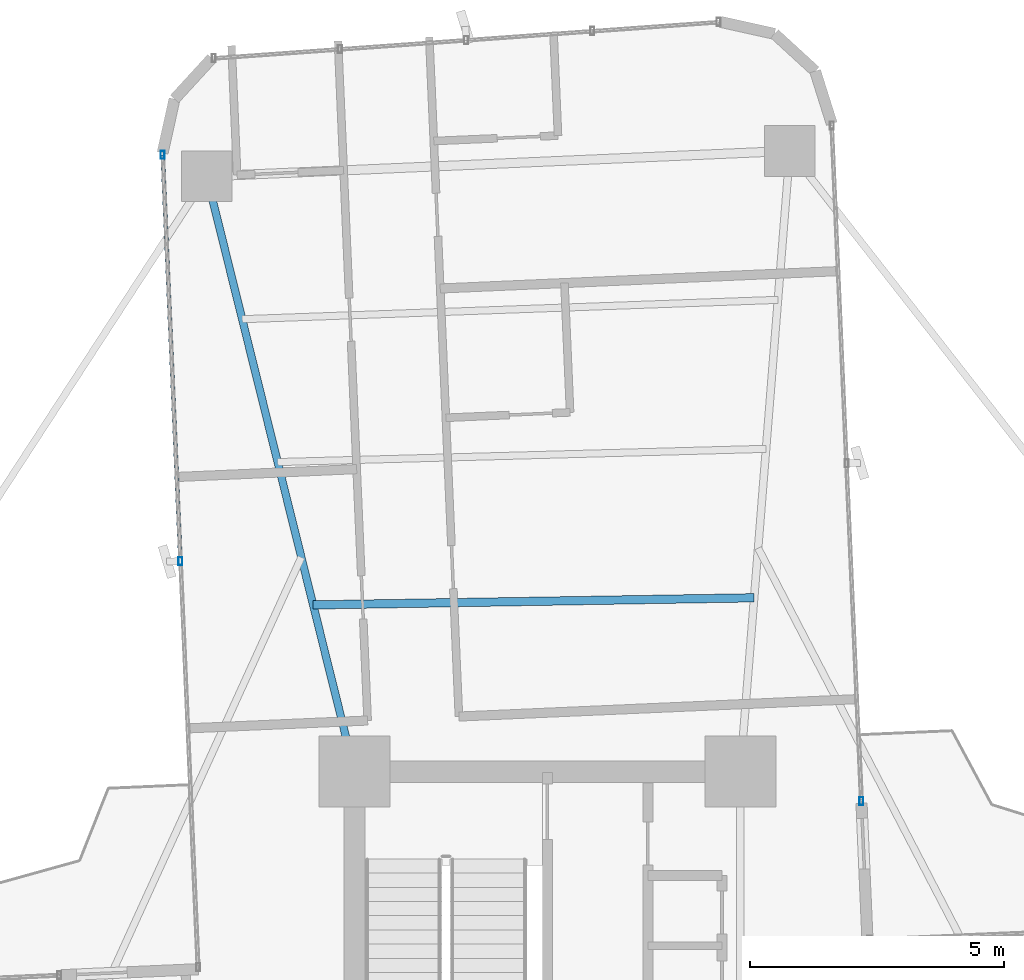
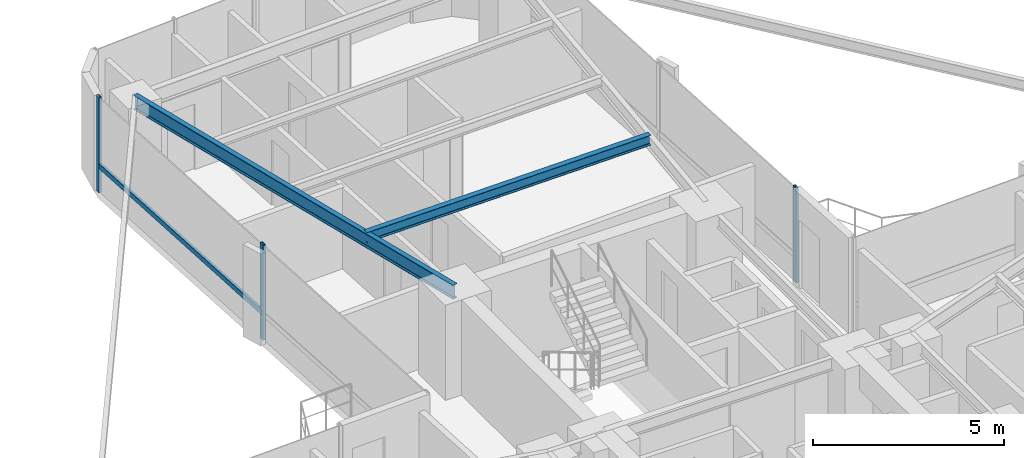
# One storey, part 17 of 27: 4 members, 2 beams, 2 elements without a shape of their own.
"""IFC4 building model written with IfcOpenShell, lengths in metres."""

import ifcopenshell
import ifcopenshell.guid

model = None  # the IFC model being written
_history = None  # IfcOwnerHistory: only IFC2X3 demands one
_inside = {}  # id of a spatial element -> (the spatial element, [elements in it])
_under = {}  # id of a project, library or spatial element -> (it, [spatial elements below it])
_declared = {}  # id of a project -> (the project, [libraries it declares])
_typed = {}  # id of a type object -> (the type object, [elements of that type])
_made_of = {}  # id of a material, layer set ... -> (it, [elements and type objects made of it])


def new_model(schema):
    """Start an empty IFC model of exactly this schema.

    Asked for "IFC4X3", IfcOpenShell would pick the latest addendum, in which some entities
    have other attributes; the version numbers below select the first issue.
    IFC2X3 requires an IfcOwnerHistory on every rooted entity: one is made here for all.
    """
    global model, _history
    if schema == "IFC4X3":
        model = ifcopenshell.file(schema_version=(4, 3, 0, 0))
    else:
        model = ifcopenshell.file(schema=schema)
    _inside.clear()
    _under.clear()
    _declared.clear()
    _typed.clear()
    _made_of.clear()
    _history = None
    if model.schema == "IFC2X3":
        org = make("IfcOrganization", Name="unknown")
        user = make(
            "IfcPersonAndOrganization",
            ThePerson=make("IfcPerson", FamilyName="unknown"),
            TheOrganization=org,
        )
        app = make(
            "IfcApplication",
            ApplicationDeveloper=org,
            Version="unknown",
            ApplicationFullName="unknown",
            ApplicationIdentifier="unknown",
        )
        _history = make(
            "IfcOwnerHistory",
            OwningUser=user,
            OwningApplication=app,
            ChangeAction="ADDED",
            CreationDate=0,
        )
    return model


def make(cls, **values):
    """One entity of the class cls with the attributes given. An attribute that is None is left unset."""
    return model.create_entity(
        cls, **{name: value for name, value in values.items() if value is not None}
    )


def rooted(cls, **values):
    """An entity with a GlobalId (a new one), such as an element, a storey or a relation."""
    return make(cls, GlobalId=ifcopenshell.guid.new(), OwnerHistory=_history, **values)


def si_unit(unit_type, name, prefix=None):
    """IfcSIUnit, for example si_unit("LENGTHUNIT", "METRE", prefix="MILLI")."""
    return make("IfcSIUnit", UnitType=unit_type, Prefix=prefix, Name=name)


def assignment(units):
    """IfcUnitAssignment: the units of a project."""
    return None if units is None else make("IfcUnitAssignment", Units=units)


def point(xyz):
    """IfcCartesianPoint."""
    return None if xyz is None else make("IfcCartesianPoint", Coordinates=xyz)


def direction(xyz):
    """IfcDirection."""
    return None if xyz is None else make("IfcDirection", DirectionRatios=xyz)


def frame(location, z_axis=None, x_axis=None):
    """IfcAxis2Placement3D, a coordinate frame: its origin and axes. An axis left out is left unset."""
    return make(
        "IfcAxis2Placement3D",
        Location=point(location),
        Axis=direction(z_axis),
        RefDirection=direction(x_axis),
    )


def frame_2d(location, x_axis=None):
    """IfcAxis2Placement2D, a coordinate frame in the plane: its origin and x axis."""
    return make(
        "IfcAxis2Placement2D", Location=point(location), RefDirection=direction(x_axis)
    )


def origin():
    """The frame at (0, 0, 0) with its axes left unset."""
    return frame((0.0, 0.0, 0.0))


def origin_2d():
    """The frame at (0, 0) in the plane with its x axis left unset."""
    return frame_2d((0.0, 0.0))


def place(relative_to, where):
    """IfcLocalPlacement: puts the frame where relative to a parent placement (None: the world)."""
    return make(
        "IfcLocalPlacement", PlacementRelTo=relative_to, RelativePlacement=where
    )


def context(
    kind, dimensions, precision=None, world=None, true_north=None, identifier=None
):
    """IfcGeometricRepresentationContext, for example the 3D "Model" context."""
    return make(
        "IfcGeometricRepresentationContext",
        ContextIdentifier=identifier,
        ContextType=kind,
        CoordinateSpaceDimension=dimensions,
        Precision=precision,
        WorldCoordinateSystem=world,
        TrueNorth=true_north,
    )


def subcontext(parent, identifier, kind, view, scale=None):
    """IfcGeometricRepresentationSubContext, for example "Body" below "Model"."""
    return make(
        "IfcGeometricRepresentationSubContext",
        ContextIdentifier=identifier,
        ContextType=kind,
        ParentContext=parent,
        TargetScale=scale,
        TargetView=view,
    )


def project(units=None, contexts=None):
    """IfcProject with its units and contexts."""
    return rooted(
        "IfcProject",
        Name="project",
        RepresentationContexts=contexts,
        UnitsInContext=assignment(units),
    )


def spatial(cls, under=None, at=None, **own):
    """A site, building, storey or space (cls), placed at a placement, below another one or the project."""
    s = rooted(cls, ObjectPlacement=at, **own)
    if under is not None:
        _under.setdefault(under.id(), (under, []))[1].append(s)
    return s


def profile(cls, at=None, kind="AREA", **sizes):
    """A parametric profile (cls). Its sizes go by their IFC names, for example OverallWidth=200.0."""
    return make(cls, ProfileType=kind, Position=at, **sizes)


def hollow_rectangle(**sizes):
    """IfcRectangleHollowProfileDef."""
    return profile("IfcRectangleHollowProfileDef", **sizes)


def i_section(**sizes):
    """IfcIShapeProfileDef."""
    return profile("IfcIShapeProfileDef", **sizes)


def extrude(swept, where, along, depth):
    """IfcExtrudedAreaSolid: the profile swept, set in the frame where, extruded along a direction by depth."""
    return make(
        "IfcExtrudedAreaSolid",
        SweptArea=swept,
        Position=where,
        ExtrudedDirection=direction(along),
        Depth=depth,
    )


def shape(context_of_items, identifier, shape_type, items):
    """IfcShapeRepresentation: the items that make up one representation, for example the "Body"."""
    return make(
        "IfcShapeRepresentation",
        ContextOfItems=context_of_items,
        RepresentationIdentifier=identifier,
        RepresentationType=shape_type,
        Items=items,
    )


def source(mapping_origin, context_of_items, identifier, shape_type, items):
    """IfcRepresentationMap: a shape defined once, which mapped items show again and again."""
    return make(
        "IfcRepresentationMap",
        MappingOrigin=mapping_origin,
        MappedRepresentation=shape(context_of_items, identifier, shape_type, items),
    )


def transform(
    local_origin,
    x_axis=None,
    y_axis=None,
    z_axis=None,
    scale=None,
    scale2=None,
    scale3=None,
    uniform=True,
):
    """IfcCartesianTransformationOperator3D, or its non-uniform kind. x_axis, y_axis, z_axis: its Axis1, 2, 3."""
    if uniform:
        return make(
            "IfcCartesianTransformationOperator3D",
            Axis1=direction(x_axis),
            Axis2=direction(y_axis),
            LocalOrigin=point(local_origin),
            Scale=scale,
            Axis3=direction(z_axis),
        )
    return make(
        "IfcCartesianTransformationOperator3DnonUniform",
        Axis1=direction(x_axis),
        Axis2=direction(y_axis),
        LocalOrigin=point(local_origin),
        Scale=scale,
        Axis3=direction(z_axis),
        Scale2=scale2,
        Scale3=scale3,
    )


def mapped(mapping_source, mapping_target):
    """IfcMappedItem: shows the shape of a source again, moved by a transform."""
    return make(
        "IfcMappedItem", MappingSource=mapping_source, MappingTarget=mapping_target
    )


def material(Name=None, Category=None):
    """IfcMaterial."""
    return make("IfcMaterial", Name=Name, Category=Category)


def material_profile(
    of_material, cross_section, Name=None, Category=None, Priority=None
):
    """IfcMaterialProfile: a cross section and its material."""
    return make(
        "IfcMaterialProfile",
        Name=Name,
        Material=of_material,
        Profile=cross_section,
        Priority=Priority,
        Category=Category,
    )


def profile_set(profiles, Name=None, composite=None):
    """IfcMaterialProfileSet."""
    return make(
        "IfcMaterialProfileSet",
        Name=Name,
        MaterialProfiles=profiles,
        CompositeProfile=composite,
    )


def made_of(thing, what):
    """Note that an element or type object is made of a material, layer set ...; save() writes the relation."""
    if what is not None:
        _made_of.setdefault(what.id(), (what, []))[1].append(thing)
    return thing


def type_object(cls, material=None, **own):
    """A type object (cls), such as IfcWallType, which elements share."""
    return made_of(rooted(cls, **own), material)


def element(
    cls,
    number,
    at=None,
    inside=None,
    cuts=None,
    type_object=None,
    material=None,
    context=None,
    identifier="Body",
    shape_type=None,
    held_by="IfcProductDefinitionShape",
    body=None,
    shapes=None,
    **own,
):
    """One element of the class cls, such as IfcWall. Its Tag is "e" and its number.

    at: its placement. inside: the storey or other place that contains it. cuts: it is an
    opening in that element (IfcRelVoidsElement). A single representation is given by context,
    identifier, shape_type and body (its items); several are given by shapes. held_by: the class
    of the entity that holds the representations. save() writes the other relations.
    """
    e = rooted(cls, Tag="e%d" % number, ObjectPlacement=at, **own)
    if body is not None:
        shapes = [shape(context, identifier, shape_type, body)]
    if shapes is not None:
        e.Representation = make(held_by, Representations=shapes)
    if inside is not None:
        _inside.setdefault(inside.id(), (inside, []))[1].append(e)
    if cuts is not None:
        rooted(
            "IfcRelVoidsElement", RelatingBuildingElement=cuts, RelatedOpeningElement=e
        )
    if type_object is not None:
        _typed.setdefault(type_object.id(), (type_object, []))[1].append(e)
    return made_of(e, material)


def aggregate(whole, parts):
    """IfcRelAggregates: a whole, such as a stair, and the parts it consists of."""
    return rooted("IfcRelAggregates", RelatingObject=whole, RelatedObjects=parts)


def save(model, path):
    """Write the relations noted so far, then the file.

    IfcRelAggregates (storeys below a building ...), IfcRelContainedInSpatialStructure (elements
    in a storey), IfcRelDefinesByType, IfcRelAssociatesMaterial and IfcRelDeclares: one each for
    every whole, place, type object, material and project.
    """
    for whole, parts in _under.values():
        aggregate(whole, parts)
    for where, things in _inside.values():
        rooted(
            "IfcRelContainedInSpatialStructure",
            RelatedElements=things,
            RelatingStructure=where,
        )
    for kind, things in _typed.values():
        rooted("IfcRelDefinesByType", RelatedObjects=things, RelatingType=kind)
    for what, things in _made_of.values():
        rooted("IfcRelAssociatesMaterial", RelatedObjects=things, RelatingMaterial=what)
    for by, libraries in _declared.values():
        rooted("IfcRelDeclares", RelatingContext=by, RelatedDefinitions=libraries)
    model.write(path)


model = new_model("IFC4")

# Units and contexts
model_context = context("Model", 3, precision=1e-05, world=origin(), true_north=direction((0.0, 1.0)))
body_context = subcontext(model_context, "Body", "Model", "MODEL_VIEW")
ifc_project = project(units=[si_unit("LENGTHUNIT", "METRE"), si_unit("AREAUNIT", "SQUARE_METRE"), si_unit("VOLUMEUNIT", "CUBIC_METRE"), si_unit("PLANEANGLEUNIT", "RADIAN"), si_unit("MASSUNIT", "GRAM", prefix="KILO")], contexts=[model_context])

# Site, building, storey
site_placement = place(None, origin())
site = spatial("IfcSite", under=ifc_project, at=site_placement, CompositionType="ELEMENT")
building_placement = place(site_placement, origin())
building = spatial("IfcBuilding", under=site, at=building_placement, Name="Sahyath Konkavel Grand Hotel", CompositionType="ELEMENT")
storey_placement = place(building_placement, frame((0.0, 0.0, 103.60009765625)))
storey = spatial("IfcBuildingStorey", under=building, at=storey_placement, Name="L28", CompositionType="ELEMENT", Elevation=103.60009765625)

# Beams
ifc_material_1 = material(Name="Steel E350", Category="steel")
ifc_material_profile_1 = material_profile(ifc_material_1, i_section(OverallWidth=0.14990234375, OverallDepth=0.449951171875, WebThickness=0.009521484375, FlangeThickness=0.017333984375, FilletRadius=0.014892578125, at=origin_2d()), Name="ISMB 450")
ifc_profile_set_1 = profile_set([ifc_material_profile_1], Name="Steel E350")
beam_type_1 = type_object("IfcBeamType", Name="BM-ISMB450", PredefinedType="BEAM", material=ifc_profile_set_1)
shared_shape_1 = source(origin(), body_context, "Body", "SweptSolid", [
    extrude(i_section(OverallWidth=0.14990234375, OverallDepth=0.449951171875, WebThickness=0.009521484375, FlangeThickness=0.017333984375, FilletRadius=0.014892578125, at=origin_2d()), origin(), (0.0, 0.0, 1.0), 12.084228515625),
])
beam_1_placement = place(storey_placement, frame((-3.800048828125, 10.199951171875, 2.824951171875), z_axis=(-0.241042688481, 0.970514514229, 0.0), x_axis=(-0.970514514229, -0.241042688481, 0.0)))
element("IfcBeam", 1, at=beam_1_placement, inside=storey, type_object=beam_type_1, Name="L28 Cruciform Radial Girder NB", PredefinedType="BEAM", context=body_context, shape_type="MappedRepresentation", body=[
    mapped(shared_shape_1, transform((0.0, 0.0, 0.0), scale=1.0)),
])
ifc_material_profile_2 = material_profile(ifc_material_1, i_section(OverallWidth=0.1650390625, OverallDepth=0.324951171875, WebThickness=0.007080078125, FlangeThickness=0.009765625, FilletRadius=0.014892578125, at=origin_2d()), Name="ISLB 325")
ifc_profile_set_2 = profile_set([ifc_material_profile_2], Name="Steel E350")
beam_type_2 = type_object("IfcBeamType", Name="BM-ISLB325", PredefinedType="BEAM", material=ifc_profile_set_2)
shared_shape_2 = source(origin(), body_context, "Body", "SweptSolid", [
    extrude(i_section(OverallWidth=0.1650390625, OverallDepth=0.324951171875, WebThickness=0.007080078125, FlangeThickness=0.009765625, FilletRadius=0.014892578125, at=origin_2d()), origin(), (0.0, 0.0, 1.0), 8.68994140625),
])
beam_2_placement = place(storey_placement, frame((4.0732421875, 13.624267578125, 2.887451171875), z_axis=(-0.999869506431, -0.016154569283, 0.0), x_axis=(0.016154569283, -0.999869506431, 0.0)))
element("IfcBeam", 2, at=beam_2_placement, inside=storey, type_object=beam_type_2, Name="L28 Secondary Floor Beam N-1", PredefinedType="BEAM", context=body_context, shape_type="MappedRepresentation", body=[
    mapped(shared_shape_2, transform((0.0, 0.0, 0.0), scale=1.0)),
])

# Curtain wall, member
ifc_material_2 = material(Name="Anodised Bronze Aluminium & Low-E Glazing", Category="aluminium")
curtain_wall_type = type_object("IfcCurtainWallType", Name="CW-ZONE2", PredefinedType="NOTDEFINED", material=ifc_material_2)
curtain_wall_1_placement = place(storey_placement, origin())
curtain_wall_1 = element("IfcCurtainWall", 3, at=curtain_wall_1_placement, inside=storey, type_object=curtain_wall_type, Name="L28 Unitised Curtain Wall F15", PredefinedType="NOTDEFINED")
ifc_material_3 = material(Name="Anodised Bronze Aluminium", Category="aluminium")
ifc_material_profile_3 = material_profile(ifc_material_3, hollow_rectangle(XDim=0.080078125, YDim=0.159912109375, WallThickness=0.006103515625, at=origin_2d()), Name="RHS 160x80x6")
ifc_profile_set_3 = profile_set([ifc_material_profile_3], Name="Anodised Bronze Aluminium")
member_type_1 = type_object("IfcMemberType", Name="CW-TRN-160", PredefinedType="USERDEFINED", material=ifc_profile_set_3)
shared_shape_3 = source(origin(), body_context, "Body", "SweptSolid", [
    extrude(hollow_rectangle(XDim=0.080078125, YDim=0.159912109375, WallThickness=0.006103515625, at=origin_2d()), origin(), (0.0, 0.0, 1.0), 8.010009765625),
])
member_1_placement = place(storey_placement, frame((-7.582275390625, 22.3505859375, 0.849853515625), z_axis=(0.043646207089, -0.999047050247, 0.0), x_axis=(0.999047050247, 0.043646207089, 0.0)))
member_1 = element("IfcMember", 4, at=member_1_placement, type_object=member_type_1, Name="L28 Curtain Wall Transom F15-0-spandrel", ObjectType="TRANSOM", PredefinedType="USERDEFINED", context=body_context, shape_type="MappedRepresentation", body=[
    mapped(shared_shape_3, transform((0.0, 0.0, 0.0), scale=1.0)),
])

curtain_wall_2_placement = place(storey_placement, origin())
curtain_wall_2 = element("IfcCurtainWall", 5, at=curtain_wall_2_placement, inside=storey, type_object=curtain_wall_type, Name="L28 Unitised Curtain Wall F8", PredefinedType="NOTDEFINED")
ifc_material_profile_4 = material_profile(ifc_material_3, hollow_rectangle(XDim=0.080078125, YDim=0.159912109375, WallThickness=0.006103515625, at=origin_2d()), Name="RHS 160x80x6")
ifc_profile_set_4 = profile_set([ifc_material_profile_4], Name="Anodised Bronze Aluminium")
member_type_2 = type_object("IfcMemberType", Name="CW-MUL-160", PredefinedType="MULLION", material=ifc_profile_set_4)
shared_shape_4 = source(origin(), body_context, "Body", "SweptSolid", [
    extrude(hollow_rectangle(XDim=0.080078125, YDim=0.159912109375, WallThickness=0.006103515625, at=origin_2d()), origin(), (0.0, 0.0, 1.0), 3.0498046875),
])
member_2_placement = place(storey_placement, frame((6.186279296875, 9.618896484375, 0.0), z_axis=(0.0, 0.0, 1.0), x_axis=(1.0, 0.0, 0.0)))
member_2 = element("IfcMember", 6, at=member_2_placement, type_object=member_type_2, Name="L28 Curtain Wall Mullion F8-0", PredefinedType="MULLION", context=body_context, shape_type="MappedRepresentation", body=[
    mapped(shared_shape_4, transform((0.0, 0.0, 0.0), scale=1.0)),
])
aggregate(curtain_wall_2, [member_2])

# Member
member_3_placement = place(storey_placement, frame((-7.582275390625, 22.3505859375, 0.0), z_axis=(0.0, 0.0, 1.0), x_axis=(1.0, 0.0, 0.0)))
member_3 = element("IfcMember", 7, at=member_3_placement, type_object=member_type_2, Name="L28 Curtain Wall Mullion F15-0", PredefinedType="MULLION", context=body_context, shape_type="MappedRepresentation", body=[
    mapped(shared_shape_4, transform((0.0, 0.0, 0.0), scale=1.0)),
])

member_4_placement = place(storey_placement, frame((-7.232666015625, 14.34814453125, 0.0), z_axis=(0.0, 0.0, 1.0), x_axis=(1.0, 0.0, 0.0)))
member_4 = element("IfcMember", 8, at=member_4_placement, type_object=member_type_2, Name="L28 Curtain Wall Mullion F15-1", PredefinedType="MULLION", context=body_context, shape_type="MappedRepresentation", body=[
    mapped(shared_shape_4, transform((0.0, 0.0, 0.0), scale=1.0)),
])

aggregate(curtain_wall_1, [member_3, member_4, member_1])

save(model, "model.ifc")
